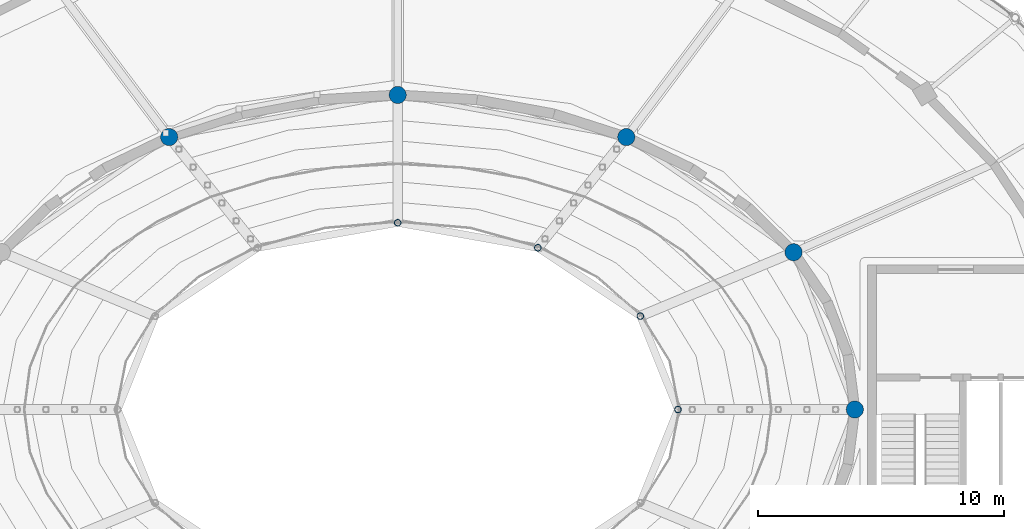
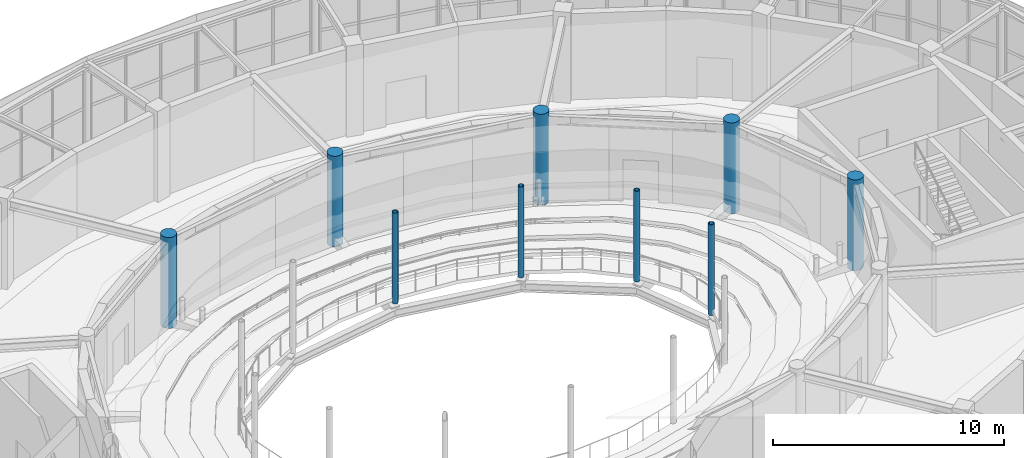
# One storey, part 7 of 108: 9 columns.
"""IFC4 building model written with IfcOpenShell, lengths in metres."""

from ifc_helpers import new_model, si_unit, direction, frame, origin, origin_2d, place, context, subcontext, project, spatial, circle, hollow_circle, extrude, material, material_profile, profile_set, type_object, element, save


model = new_model("IFC4")

# Units and contexts
model_context = context("Model", 3, precision=1e-05, world=origin(), true_north=direction((0.0, 1.0)))
body_context = subcontext(model_context, "Body", "Model", "MODEL_VIEW")
ifc_project = project(units=[si_unit("LENGTHUNIT", "METRE"), si_unit("AREAUNIT", "SQUARE_METRE"), si_unit("VOLUMEUNIT", "CUBIC_METRE"), si_unit("PLANEANGLEUNIT", "RADIAN"), si_unit("MASSUNIT", "GRAM", prefix="KILO")], contexts=[model_context])

# Site, building, storey
site_placement = place(None, origin())
site = spatial("IfcSite", under=ifc_project, at=site_placement, CompositionType="ELEMENT")
building_placement = place(site_placement, origin())
building = spatial("IfcBuilding", under=site, at=building_placement, Name="Tarnveldt Headland Concert Hall", CompositionType="ELEMENT")
storey_placement = place(building_placement, frame((0.0, 0.0, 9.60009765625)))
storey = spatial("IfcBuildingStorey", under=building, at=storey_placement, Name="L02", CompositionType="ELEMENT", Elevation=9.60009765625)

# Columns
ifc_material_1 = material(Name="Concrete C40/50", Category="concrete")
ifc_material_profile_1 = material_profile(ifc_material_1, circle(Radius=0.35009765625, at=origin_2d()), Name="RC D700", Category="concrete")
ifc_profile_set_1 = profile_set([ifc_material_profile_1], Name="Concrete C40/50")
column_type_1 = type_object("IfcColumnType", Name="DC-700", PredefinedType="COLUMN", material=ifc_profile_set_1)
for number, where, z_axis, x_axis, name in (
    (1, (102.10009765625, 54.5, 0.0), (0.0, 0.0, 1.0), (1.0, 0.0, 0.0), "Column V2IC01 L02"),
    (2, (99.608154296875, 60.89990234375, 0.0), (0.0, 0.0, 1.0), (0.929326043111, 0.369260213935, 0.0), "Column V2IC02 L02"),
    (3, (92.800048828125, 65.585205078125, 0.0), (0.0, 0.0, 1.0), (0.642787609687, 0.766044443119, 0.0), "Column V2IC03 L02"),
    (4, (83.5, 67.300048828125, 0.0), (0.0, 0.0, 1.0), (0.0, 1.0, 0.0), "Column V2IC04 L02"),
    (5, (74.199951171875, 65.585205078125, 0.0), (0.0, 0.0, 1.0), (-0.642787609687, 0.766044443119, 0.0), "Column V2IC05 L02"),
):
    element("IfcColumn", number, at=place(storey_placement, frame(where, z_axis=z_axis, x_axis=x_axis)), inside=storey, type_object=column_type_1, Name=name, PredefinedType="COLUMN", context=body_context, shape_type="SweptSolid", body=[
        extrude(circle(Radius=0.35009765625, at=origin_2d()), origin(), (0.0, 0.0, 1.0), 4.7998046875),
    ])
ifc_material_2 = material(Name="Steel S355", Category="steel")
ifc_material_profile_2 = material_profile(ifc_material_2, hollow_circle(Radius=0.136474609375, WallThickness=0.01611328125, at=origin_2d()), Name="CHS 273x16", Category="steel")
ifc_profile_set_2 = profile_set([ifc_material_profile_2], Name="Steel S355")
column_type_2 = type_object("IfcColumnType", Name="SC-CHS273", PredefinedType="COLUMN", material=ifc_profile_set_2)
for number, where, z_axis, x_axis, name in (
    (6, (94.89990234375, 54.5, 0.0), (0.0, 0.0, 1.0), (1.0, 0.0, 0.0), "Tier ring column 1 L02"),
    (7, (93.372802734375, 58.300048828125, 0.0), (0.0, 0.0, 1.0), (1.0, 0.0, 0.0), "Tier ring column 2 L02"),
    (8, (89.199951171875, 61.081787109375, 0.0), (0.0, 0.0, 1.0), (1.0, 0.0, 0.0), "Tier ring column 3 L02"),
    (9, (83.5, 62.10009765625, 0.0), (0.0, 0.0, 1.0), (1.0, 0.0, 0.0), "Tier ring column 4 L02"),
):
    element("IfcColumn", number, at=place(storey_placement, frame(where, z_axis=z_axis, x_axis=x_axis)), inside=storey, type_object=column_type_2, Name=name, PredefinedType="COLUMN", context=body_context, shape_type="SweptSolid", body=[
        extrude(hollow_circle(Radius=0.136474609375, WallThickness=0.01611328125, at=origin_2d()), origin(), (0.0, 0.0, 1.0), 4.7998046875),
    ])

save(model, "model.ifc")
